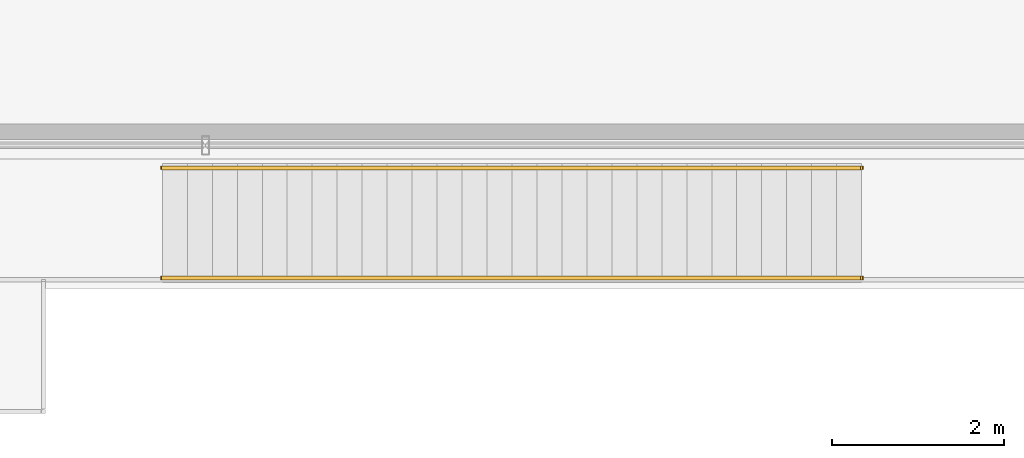
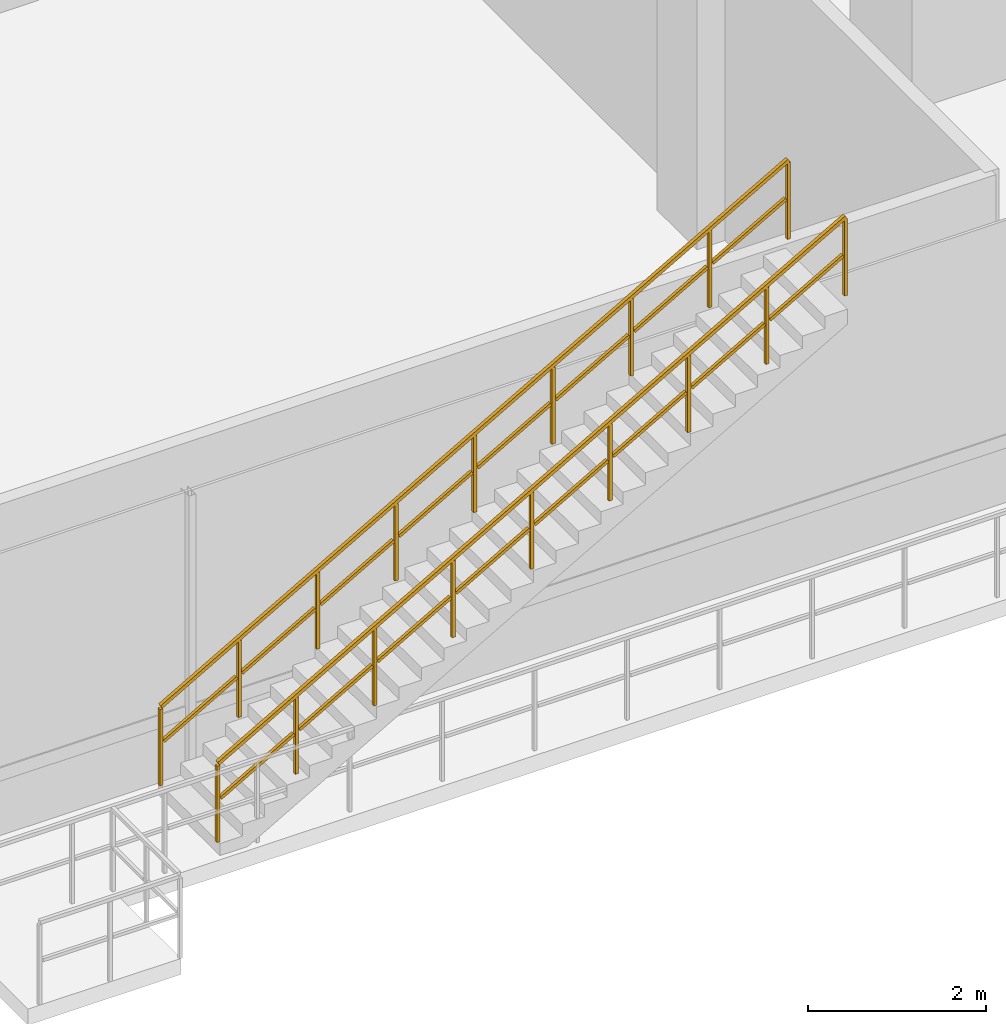
# One storey, part 20 of 22: 2 railings.
"""IFC4 building model written with IfcOpenShell, lengths in metres."""

from ifc_helpers import new_model, si_unit, direction, frame, origin, origin_2d, place, context, subcontext, project, spatial, rectangle, extrude, material, type_object, element, save


model = new_model("IFC4")

# Units and contexts
model_context = context("Model", 3, precision=1e-05, world=origin(), true_north=direction((0.0, 1.0)))
body_context = subcontext(model_context, "Body", "Model", "MODEL_VIEW")
ifc_project = project(units=[si_unit("LENGTHUNIT", "METRE"), si_unit("AREAUNIT", "SQUARE_METRE"), si_unit("VOLUMEUNIT", "CUBIC_METRE"), si_unit("PLANEANGLEUNIT", "RADIAN"), si_unit("MASSUNIT", "GRAM", prefix="KILO")], contexts=[model_context])

# Site, building, storey
site_placement = place(None, origin())
site = spatial("IfcSite", under=ifc_project, at=site_placement, CompositionType="ELEMENT")
building_placement = place(site_placement, origin())
building = spatial("IfcBuilding", under=site, at=building_placement, Name="Thornwick Lancets Civic Towers", CompositionType="ELEMENT")
storey_placement = place(building_placement, frame((0.0, 0.0, 4.800048828125)))
storey = spatial("IfcBuildingStorey", under=building, at=storey_placement, Name="L01", CompositionType="ELEMENT", Elevation=4.800048828125)

# Railings
ifc_material = material(Name="Steel S355JR", Category="steel")
railing_type = type_object("IfcRailingType", Name="RAIL_STAIR_GUARD", PredefinedType="GUARDRAIL", material=ifc_material)
railing_1_placement = place(storey_placement, frame((56.5, 4.6201171875, 0.16552734375)))
element("IfcRailing", 1, at=railing_1_placement, inside=storey, type_object=railing_type, Name="L01 Garden Stair Guard S", PredefinedType="GUARDRAIL", context=body_context, shape_type="SweptSolid", body=[
    extrude(rectangle(XDim=0.048095703125, YDim=0.048095703125, at=origin_2d()), frame((0.0, 0.0, 1.076171875), z_axis=(0.868498526816, 0.0, 0.495691747882), x_axis=(0.0, 1.0, 0.0)), (0.0, 0.0, 1.0), 9.349609375),
    extrude(rectangle(XDim=0.0419921875, YDim=0.0419921875, at=origin_2d()), frame((0.032470703125, 0.0, 0.590576171875), z_axis=(0.868498526816, 0.0, 0.495691747882), x_axis=(0.0, 1.0, 0.0)), (0.0, 0.0, 1.0), 1.09375),
    extrude(rectangle(XDim=0.0419921875, YDim=0.0419921875, at=origin_2d()), frame((1.047607421875, 0.0, 1.169921875), z_axis=(0.868498526816, 0.0, 0.495691747882), x_axis=(0.0, 1.0, 0.0)), (0.0, 0.0, 1.0), 1.09375),
    extrude(rectangle(XDim=0.0419921875, YDim=0.0419921875, at=origin_2d()), frame((2.0625, 0.0, 1.749267578125), z_axis=(0.868498526816, 0.0, 0.495691747882), x_axis=(0.0, 1.0, 0.0)), (0.0, 0.0, 1.0), 1.09375),
    extrude(rectangle(XDim=0.0419921875, YDim=0.0419921875, at=origin_2d()), frame((3.07763671875, 0.0, 2.32861328125), z_axis=(0.868498526816, 0.0, 0.495691747882), x_axis=(0.0, 1.0, 0.0)), (0.0, 0.0, 1.0), 1.09375),
    extrude(rectangle(XDim=0.0419921875, YDim=0.0419921875, at=origin_2d()), frame((4.092529296875, 0.0, 2.907958984375), z_axis=(0.868498526816, 0.0, 0.495691747882), x_axis=(0.0, 1.0, 0.0)), (0.0, 0.0, 1.0), 1.09375),
    extrude(rectangle(XDim=0.0419921875, YDim=0.0419921875, at=origin_2d()), frame((5.107666015625, 0.0, 3.4873046875), z_axis=(0.868498526816, 0.0, 0.495691747882), x_axis=(0.0, 1.0, 0.0)), (0.0, 0.0, 1.0), 1.09375),
    extrude(rectangle(XDim=0.0419921875, YDim=0.0419921875, at=origin_2d()), frame((6.12255859375, 0.0, 4.06640625), z_axis=(0.868498526816, 0.0, 0.495691747882), x_axis=(0.0, 1.0, 0.0)), (0.0, 0.0, 1.0), 1.09375),
    extrude(rectangle(XDim=0.0419921875, YDim=0.0419921875, at=origin_2d()), frame((7.1376953125, 0.0, 4.645751953125), z_axis=(0.868498526816, 0.0, 0.495691747882), x_axis=(0.0, 1.0, 0.0)), (0.0, 0.0, 1.0), 1.09375),
    extrude(rectangle(XDim=0.0419921875, YDim=0.0419921875, at=origin_2d()), origin(), (0.0, 0.0, 1.0), 1.0458984375),
    extrude(rectangle(XDim=0.0419921875, YDim=0.0419921875, at=origin_2d()), frame((1.01513671875, 0.0, 0.579345703125)), (0.0, 0.0, 1.0), 1.0458984375),
    extrude(rectangle(XDim=0.0419921875, YDim=0.0419921875, at=origin_2d()), frame((2.030029296875, 0.0, 1.15869140625)), (0.0, 0.0, 1.0), 1.0458984375),
    extrude(rectangle(XDim=0.0419921875, YDim=0.0419921875, at=origin_2d()), frame((3.044921875, 0.0, 1.738037109375)), (0.0, 0.0, 1.0), 1.0458984375),
    extrude(rectangle(XDim=0.0419921875, YDim=0.0419921875, at=origin_2d()), frame((4.06005859375, 0.0, 2.3173828125)), (0.0, 0.0, 1.0), 1.0458984375),
    extrude(rectangle(XDim=0.0419921875, YDim=0.0419921875, at=origin_2d()), frame((5.0751953125, 0.0, 2.896484375)), (0.0, 0.0, 1.0), 1.0458984375),
    extrude(rectangle(XDim=0.0419921875, YDim=0.0419921875, at=origin_2d()), frame((6.090087890625, 0.0, 3.475830078125)), (0.0, 0.0, 1.0), 1.0458984375),
    extrude(rectangle(XDim=0.0419921875, YDim=0.0419921875, at=origin_2d()), frame((7.10498046875, 0.0, 4.05517578125)), (0.0, 0.0, 1.0), 1.0458984375),
    extrude(rectangle(XDim=0.0419921875, YDim=0.0419921875, at=origin_2d()), frame((8.1201171875, 0.0, 4.634521484375)), (0.0, 0.0, 1.0), 1.0458984375),
])
railing_2_placement = place(storey_placement, frame((56.5, 5.89990234375, 0.16552734375)))
element("IfcRailing", 2, at=railing_2_placement, inside=storey, type_object=railing_type, Name="L01 Garden Stair Guard N", PredefinedType="GUARDRAIL", context=body_context, shape_type="SweptSolid", body=[
    extrude(rectangle(XDim=0.048095703125, YDim=0.048095703125, at=origin_2d()), frame((0.0, 0.0, 1.076171875), z_axis=(0.868498526816, 0.0, 0.495691747882), x_axis=(0.0, 1.0, 0.0)), (0.0, 0.0, 1.0), 9.349609375),
    extrude(rectangle(XDim=0.0419921875, YDim=0.0419921875, at=origin_2d()), frame((0.032470703125, 0.0, 0.590576171875), z_axis=(0.868498526816, 0.0, 0.495691747882), x_axis=(0.0, 1.0, 0.0)), (0.0, 0.0, 1.0), 1.09375),
    extrude(rectangle(XDim=0.0419921875, YDim=0.0419921875, at=origin_2d()), frame((1.047607421875, 0.0, 1.169921875), z_axis=(0.868498526816, 0.0, 0.495691747882), x_axis=(0.0, 1.0, 0.0)), (0.0, 0.0, 1.0), 1.09375),
    extrude(rectangle(XDim=0.0419921875, YDim=0.0419921875, at=origin_2d()), frame((2.0625, 0.0, 1.749267578125), z_axis=(0.868498526816, 0.0, 0.495691747882), x_axis=(0.0, 1.0, 0.0)), (0.0, 0.0, 1.0), 1.09375),
    extrude(rectangle(XDim=0.0419921875, YDim=0.0419921875, at=origin_2d()), frame((3.07763671875, 0.0, 2.32861328125), z_axis=(0.868498526816, 0.0, 0.495691747882), x_axis=(0.0, 1.0, 0.0)), (0.0, 0.0, 1.0), 1.09375),
    extrude(rectangle(XDim=0.0419921875, YDim=0.0419921875, at=origin_2d()), frame((4.092529296875, 0.0, 2.907958984375), z_axis=(0.868498526816, 0.0, 0.495691747882), x_axis=(0.0, 1.0, 0.0)), (0.0, 0.0, 1.0), 1.09375),
    extrude(rectangle(XDim=0.0419921875, YDim=0.0419921875, at=origin_2d()), frame((5.107666015625, 0.0, 3.4873046875), z_axis=(0.868498526816, 0.0, 0.495691747882), x_axis=(0.0, 1.0, 0.0)), (0.0, 0.0, 1.0), 1.09375),
    extrude(rectangle(XDim=0.0419921875, YDim=0.0419921875, at=origin_2d()), frame((6.12255859375, 0.0, 4.06640625), z_axis=(0.868498526816, 0.0, 0.495691747882), x_axis=(0.0, 1.0, 0.0)), (0.0, 0.0, 1.0), 1.09375),
    extrude(rectangle(XDim=0.0419921875, YDim=0.0419921875, at=origin_2d()), frame((7.1376953125, 0.0, 4.645751953125), z_axis=(0.868498526816, 0.0, 0.495691747882), x_axis=(0.0, 1.0, 0.0)), (0.0, 0.0, 1.0), 1.09375),
    extrude(rectangle(XDim=0.0419921875, YDim=0.0419921875, at=origin_2d()), origin(), (0.0, 0.0, 1.0), 1.0458984375),
    extrude(rectangle(XDim=0.0419921875, YDim=0.0419921875, at=origin_2d()), frame((1.01513671875, 0.0, 0.579345703125)), (0.0, 0.0, 1.0), 1.0458984375),
    extrude(rectangle(XDim=0.0419921875, YDim=0.0419921875, at=origin_2d()), frame((2.030029296875, 0.0, 1.15869140625)), (0.0, 0.0, 1.0), 1.0458984375),
    extrude(rectangle(XDim=0.0419921875, YDim=0.0419921875, at=origin_2d()), frame((3.044921875, 0.0, 1.738037109375)), (0.0, 0.0, 1.0), 1.0458984375),
    extrude(rectangle(XDim=0.0419921875, YDim=0.0419921875, at=origin_2d()), frame((4.06005859375, 0.0, 2.3173828125)), (0.0, 0.0, 1.0), 1.0458984375),
    extrude(rectangle(XDim=0.0419921875, YDim=0.0419921875, at=origin_2d()), frame((5.0751953125, 0.0, 2.896484375)), (0.0, 0.0, 1.0), 1.0458984375),
    extrude(rectangle(XDim=0.0419921875, YDim=0.0419921875, at=origin_2d()), frame((6.090087890625, 0.0, 3.475830078125)), (0.0, 0.0, 1.0), 1.0458984375),
    extrude(rectangle(XDim=0.0419921875, YDim=0.0419921875, at=origin_2d()), frame((7.10498046875, 0.0, 4.05517578125)), (0.0, 0.0, 1.0), 1.0458984375),
    extrude(rectangle(XDim=0.0419921875, YDim=0.0419921875, at=origin_2d()), frame((8.1201171875, 0.0, 4.634521484375)), (0.0, 0.0, 1.0), 1.0458984375),
])

save(model, "model.ifc")
